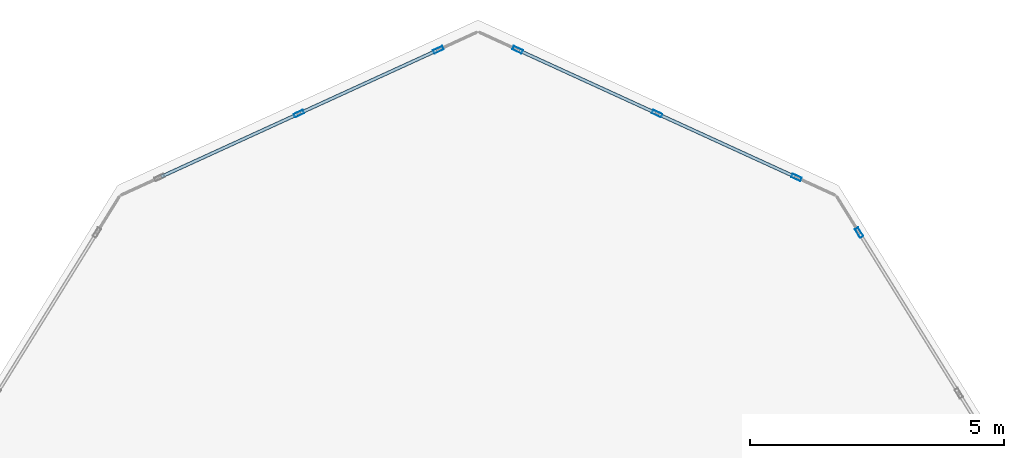
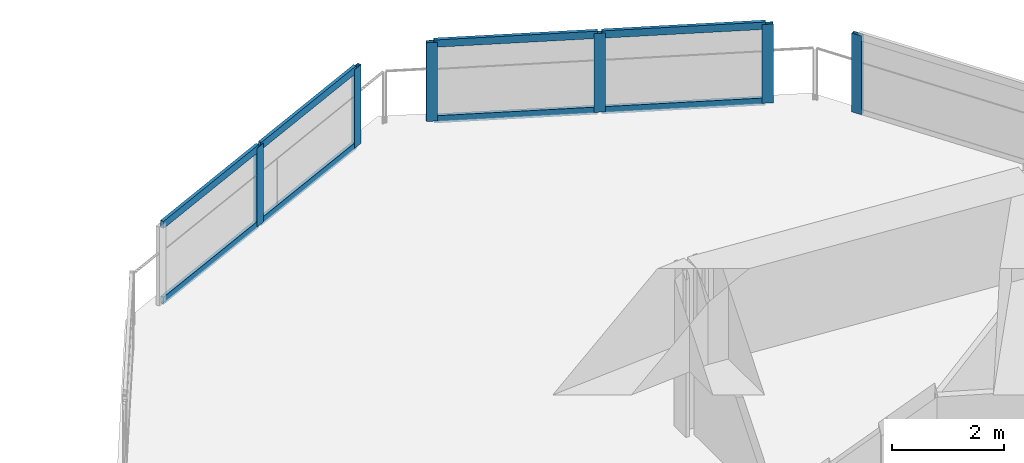
# One storey, part 11 of 21: 14 members, 3 elements without a shape of their own.
"""IFC4 building model written with IfcOpenShell, lengths in metres."""

from ifc_helpers import new_model, si_unit, direction, frame, origin, origin_2d, place, context, subcontext, project, spatial, hollow_rectangle, extrude, material, layer, layer_set, material_profile, profile_set, type_object, element, aggregate, save


model = new_model("IFC4")

# Units and contexts
model_context = context("Model", 3, precision=1e-05, world=origin(), true_north=direction((0.0, 1.0)))
body_context = subcontext(model_context, "Body", "Model", "MODEL_VIEW")
ifc_project = project(units=[si_unit("LENGTHUNIT", "METRE"), si_unit("AREAUNIT", "SQUARE_METRE"), si_unit("VOLUMEUNIT", "CUBIC_METRE"), si_unit("PLANEANGLEUNIT", "RADIAN"), si_unit("MASSUNIT", "GRAM", prefix="KILO")], contexts=[model_context])

# Site, building, storey
site_placement = place(None, origin())
site = spatial("IfcSite", under=ifc_project, at=site_placement, CompositionType="ELEMENT")
building_placement = place(site_placement, origin())
building = spatial("IfcBuilding", under=site, at=building_placement, Name="Solvane Sanctuary Tower", CompositionType="ELEMENT")
storey_placement = place(building_placement, frame((0.0, 0.0, 256.800048828125)))
storey = spatial("IfcBuildingStorey", under=building, at=storey_placement, Name="L78", CompositionType="ELEMENT", Elevation=256.800048828125)

# Curtain wall, member
ifc_material = material(Name="Anodised Aluminium 6063-T6", Category="aluminium")
ifc_layer = layer(ifc_material, 0.18994140625, Name="Anodised Aluminium 6063-T6")
ifc_layer_set = layer_set([ifc_layer], Name="Anodised Aluminium 6063-T6")
curtain_wall_type = type_object("IfcCurtainWallType", Name="Curtain Wall CW-OPER", PredefinedType="NOTDEFINED", material=ifc_layer_set)
curtain_wall_1_placement = place(storey_placement, origin())
curtain_wall_1 = element("IfcCurtainWall", 1, at=curtain_wall_1_placement, inside=storey, type_object=curtain_wall_type, Name="L78 CW-OPER Facade Run 04", PredefinedType="NOTDEFINED")
ifc_material_profile_1 = material_profile(ifc_material, hollow_rectangle(XDim=0.074951171875, YDim=0.199951171875, WallThickness=0.00390625, at=origin_2d()), Name="ALU200X75X4")
ifc_profile_set_1 = profile_set([ifc_material_profile_1], Name="Anodised Aluminium 6063-T6")
member_type_1 = type_object("IfcMemberType", Name="Member M-CW-MUL-1 ALU200X75X4", PredefinedType="MULLION", material=ifc_profile_set_1)
member_1_placement = place(storey_placement, frame((39.495361328125, 45.7177734375, 0.0), z_axis=(0.0, 0.0, 1.0), x_axis=(-0.849622273102, -0.527391688453, 0.0)))
member_1 = element("IfcMember", 2, at=member_1_placement, type_object=member_type_1, Name="CW-OPER mullion 3", PredefinedType="MULLION", context=body_context, shape_type="SweptSolid", body=[
    extrude(hollow_rectangle(XDim=0.074951171875, YDim=0.199951171875, WallThickness=0.00390625, at=origin_2d()), origin(), (0.0, 0.0, 1.0), 1.719970703125),
])
aggregate(curtain_wall_1, [member_1])

# Curtain wall, members
curtain_wall_2_placement = place(storey_placement, origin())
curtain_wall_2 = element("IfcCurtainWall", 3, at=curtain_wall_2_placement, inside=storey, type_object=curtain_wall_type, Name="L78 CW-OPER Facade Run 05", PredefinedType="NOTDEFINED")
member_2_placement = place(storey_placement, frame((38.26318359375, 46.80322265625, 0.0), z_axis=(0.0, 0.0, 1.0), x_axis=(-0.416224941032, -0.909261677661, 0.0)))
member_2 = element("IfcMember", 4, at=member_2_placement, type_object=member_type_1, Name="CW-OPER mullion 1", PredefinedType="MULLION", context=body_context, shape_type="SweptSolid", body=[
    extrude(hollow_rectangle(XDim=0.074951171875, YDim=0.199951171875, WallThickness=0.00390625, at=origin_2d()), origin(), (0.0, 0.0, 1.0), 1.719970703125),
])
member_3_placement = place(storey_placement, frame((35.521484375, 48.058349609375, 0.0), z_axis=(0.0, 0.0, 1.0), x_axis=(-0.416224941032, -0.909261677661, 0.0)))
member_3 = element("IfcMember", 5, at=member_3_placement, type_object=member_type_1, Name="CW-OPER mullion 2", PredefinedType="MULLION", context=body_context, shape_type="SweptSolid", body=[
    extrude(hollow_rectangle(XDim=0.074951171875, YDim=0.199951171875, WallThickness=0.00390625, at=origin_2d()), origin(), (0.0, 0.0, 1.0), 1.719970703125),
])
member_4_placement = place(storey_placement, frame((32.77978515625, 49.3134765625, 0.0), z_axis=(0.0, 0.0, 1.0), x_axis=(-0.416224941032, -0.909261677661, 0.0)))
member_4 = element("IfcMember", 6, at=member_4_placement, type_object=member_type_1, Name="CW-OPER mullion 3", PredefinedType="MULLION", context=body_context, shape_type="SweptSolid", body=[
    extrude(hollow_rectangle(XDim=0.074951171875, YDim=0.199951171875, WallThickness=0.00390625, at=origin_2d()), origin(), (0.0, 0.0, 1.0), 1.719970703125),
])

curtain_wall_3_placement = place(storey_placement, origin())
curtain_wall_3 = element("IfcCurtainWall", 7, at=curtain_wall_3_placement, inside=storey, type_object=curtain_wall_type, Name="L78 CW-OPER Facade Run 06", PredefinedType="NOTDEFINED")
member_5_placement = place(storey_placement, frame((31.22021484375, 49.3134765625, 0.0), z_axis=(0.0, 0.0, 1.0), x_axis=(0.416224941032, -0.909261677661, 0.0)))
member_5 = element("IfcMember", 8, at=member_5_placement, type_object=member_type_1, Name="CW-OPER mullion 1", PredefinedType="MULLION", context=body_context, shape_type="SweptSolid", body=[
    extrude(hollow_rectangle(XDim=0.074951171875, YDim=0.199951171875, WallThickness=0.00390625, at=origin_2d()), origin(), (0.0, 0.0, 1.0), 1.719970703125),
])
member_6_placement = place(storey_placement, frame((28.478515625, 48.058349609375, 0.0), z_axis=(0.0, 0.0, 1.0), x_axis=(0.416224941032, -0.909261677661, 0.0)))
member_6 = element("IfcMember", 9, at=member_6_placement, type_object=member_type_1, Name="CW-OPER mullion 2", PredefinedType="MULLION", context=body_context, shape_type="SweptSolid", body=[
    extrude(hollow_rectangle(XDim=0.074951171875, YDim=0.199951171875, WallThickness=0.00390625, at=origin_2d()), origin(), (0.0, 0.0, 1.0), 1.719970703125),
])

# Member
ifc_material_profile_2 = material_profile(ifc_material, hollow_rectangle(XDim=0.06494140625, YDim=0.159912109375, WallThickness=0.00341796875, at=origin_2d()), Name="ALU160X65X3.5")
ifc_profile_set_2 = profile_set([ifc_material_profile_2], Name="Anodised Aluminium 6063-T6")
member_type_2 = type_object("IfcMemberType", Name="Member M-CW-TRN-1 ALU160X65X3.5", PredefinedType="USERDEFINED", material=ifc_profile_set_2)
member_7_placement = place(storey_placement, frame((38.229248046875, 46.81884765625, 0.032470703125), z_axis=(-0.90925996833, 0.41622867512, 0.0), x_axis=(-0.41622867512, -0.90925996833, 0.0)))
member_7 = element("IfcMember", 10, at=member_7_placement, type_object=member_type_2, Name="CW-OPER transom 1.1", ObjectType="TRANSOM", PredefinedType="USERDEFINED", context=body_context, shape_type="SweptSolid", body=[
    extrude(hollow_rectangle(XDim=0.06494140625, YDim=0.159912109375, WallThickness=0.00341796875, at=origin_2d()), origin(), (0.0, 0.0, 1.0), 2.9404296875),
])

member_8_placement = place(storey_placement, frame((38.229248046875, 46.81884765625, 1.6875), z_axis=(-0.90925996833, 0.41622867512, 0.0), x_axis=(-0.41622867512, -0.90925996833, 0.0)))
member_8 = element("IfcMember", 11, at=member_8_placement, type_object=member_type_2, Name="CW-OPER transom 1.2", ObjectType="TRANSOM", PredefinedType="USERDEFINED", context=body_context, shape_type="SweptSolid", body=[
    extrude(hollow_rectangle(XDim=0.06494140625, YDim=0.159912109375, WallThickness=0.00341796875, at=origin_2d()), origin(), (0.0, 0.0, 1.0), 2.9404296875),
])

member_9_placement = place(storey_placement, frame((35.4873046875, 48.073974609375, 0.032470703125), z_axis=(-0.90925996833, 0.41622867512, 0.0), x_axis=(-0.41622867512, -0.90925996833, 0.0)))
member_9 = element("IfcMember", 12, at=member_9_placement, type_object=member_type_2, Name="CW-OPER transom 2.1", ObjectType="TRANSOM", PredefinedType="USERDEFINED", context=body_context, shape_type="SweptSolid", body=[
    extrude(hollow_rectangle(XDim=0.06494140625, YDim=0.159912109375, WallThickness=0.00341796875, at=origin_2d()), origin(), (0.0, 0.0, 1.0), 2.9404296875),
])

member_10_placement = place(storey_placement, frame((35.4873046875, 48.073974609375, 1.6875), z_axis=(-0.90925996833, 0.41622867512, 0.0), x_axis=(-0.41622867512, -0.90925996833, 0.0)))
member_10 = element("IfcMember", 13, at=member_10_placement, type_object=member_type_2, Name="CW-OPER transom 2.2", ObjectType="TRANSOM", PredefinedType="USERDEFINED", context=body_context, shape_type="SweptSolid", body=[
    extrude(hollow_rectangle(XDim=0.06494140625, YDim=0.159912109375, WallThickness=0.00341796875, at=origin_2d()), origin(), (0.0, 0.0, 1.0), 2.9404296875),
])

aggregate(curtain_wall_2, [member_2, member_3, member_4, member_7, member_8, member_9, member_10])

member_11_placement = place(storey_placement, frame((31.186279296875, 49.2978515625, 0.032470703125), z_axis=(-0.90925996833, -0.41622867512, 0.0), x_axis=(0.41622867512, -0.90925996833, 0.0)))
member_11 = element("IfcMember", 14, at=member_11_placement, type_object=member_type_2, Name="CW-OPER transom 1.1", ObjectType="TRANSOM", PredefinedType="USERDEFINED", context=body_context, shape_type="SweptSolid", body=[
    extrude(hollow_rectangle(XDim=0.06494140625, YDim=0.159912109375, WallThickness=0.00341796875, at=origin_2d()), origin(), (0.0, 0.0, 1.0), 2.9404296875),
])

member_12_placement = place(storey_placement, frame((31.186279296875, 49.2978515625, 1.6875), z_axis=(-0.90925996833, -0.41622867512, 0.0), x_axis=(0.41622867512, -0.90925996833, 0.0)))
member_12 = element("IfcMember", 15, at=member_12_placement, type_object=member_type_2, Name="CW-OPER transom 1.2", ObjectType="TRANSOM", PredefinedType="USERDEFINED", context=body_context, shape_type="SweptSolid", body=[
    extrude(hollow_rectangle(XDim=0.06494140625, YDim=0.159912109375, WallThickness=0.00341796875, at=origin_2d()), origin(), (0.0, 0.0, 1.0), 2.9404296875),
])

member_13_placement = place(storey_placement, frame((28.4443359375, 48.042724609375, 0.032470703125), z_axis=(-0.90925996833, -0.41622867512, 0.0), x_axis=(0.41622867512, -0.90925996833, 0.0)))
member_13 = element("IfcMember", 16, at=member_13_placement, type_object=member_type_2, Name="CW-OPER transom 2.1", ObjectType="TRANSOM", PredefinedType="USERDEFINED", context=body_context, shape_type="SweptSolid", body=[
    extrude(hollow_rectangle(XDim=0.06494140625, YDim=0.159912109375, WallThickness=0.00341796875, at=origin_2d()), origin(), (0.0, 0.0, 1.0), 2.9404296875),
])

member_14_placement = place(storey_placement, frame((28.4443359375, 48.042724609375, 1.6875), z_axis=(-0.90925996833, -0.41622867512, 0.0), x_axis=(0.41622867512, -0.90925996833, 0.0)))
member_14 = element("IfcMember", 17, at=member_14_placement, type_object=member_type_2, Name="CW-OPER transom 2.2", ObjectType="TRANSOM", PredefinedType="USERDEFINED", context=body_context, shape_type="SweptSolid", body=[
    extrude(hollow_rectangle(XDim=0.06494140625, YDim=0.159912109375, WallThickness=0.00341796875, at=origin_2d()), origin(), (0.0, 0.0, 1.0), 2.9404296875),
])

aggregate(curtain_wall_3, [member_5, member_6, member_11, member_12, member_13, member_14])

save(model, "model.ifc")
